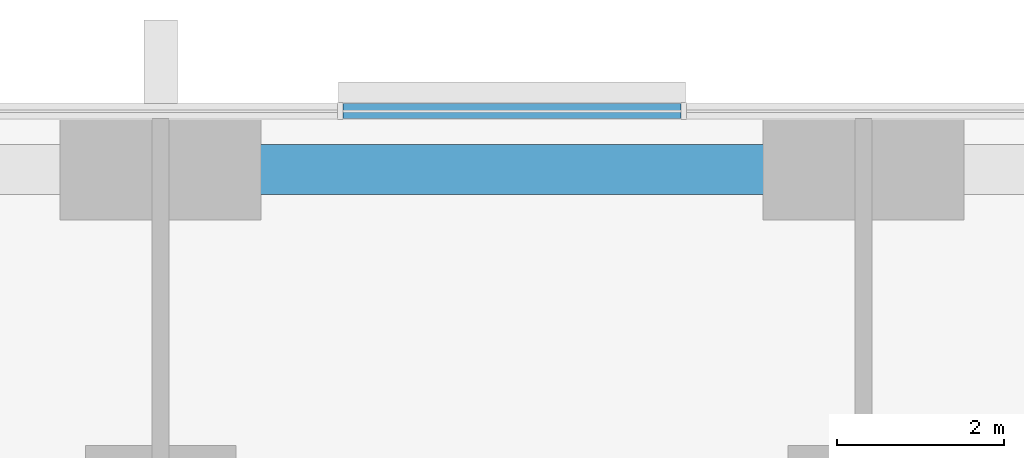
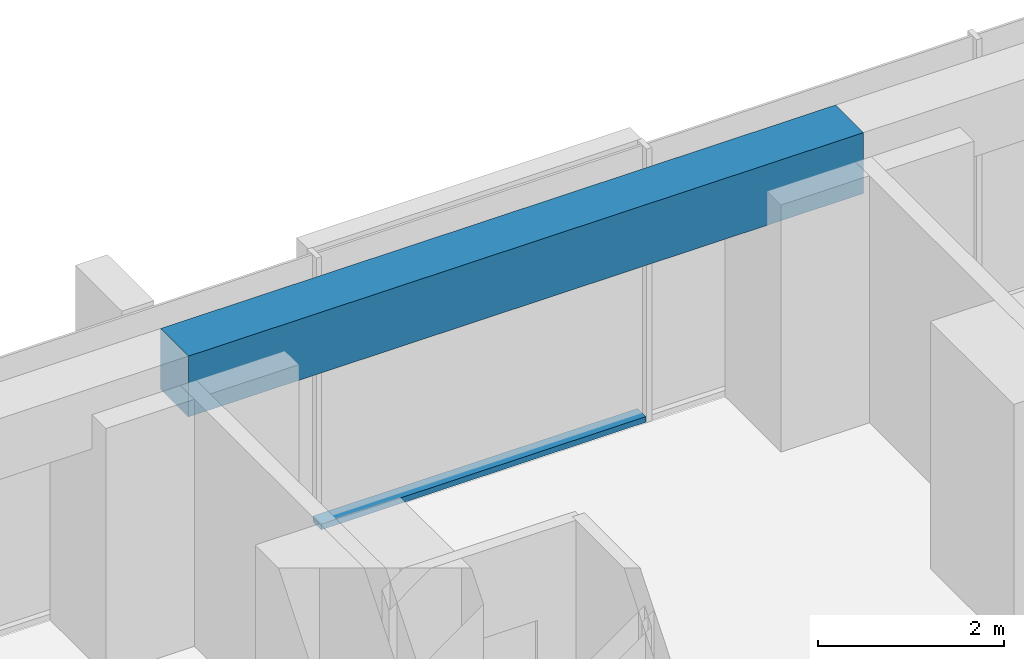
# One storey, part 7 of 17: 1 beam, 1 member, 1 element without a shape of its own.
"""IFC4 building model written with IfcOpenShell, lengths in metres."""

from ifc_helpers import new_model, si_unit, direction, frame, origin, origin_2d, place, context, subcontext, project, spatial, rectangle, extrude, material, material_profile, profile_set, type_object, element, aggregate, save


model = new_model("IFC4")

# Units and contexts
model_context = context("Model", 3, precision=1e-05, world=origin(), true_north=direction((0.0, 1.0)))
body_context = subcontext(model_context, "Body", "Model", "MODEL_VIEW")
ifc_project = project(units=[si_unit("LENGTHUNIT", "METRE"), si_unit("AREAUNIT", "SQUARE_METRE"), si_unit("VOLUMEUNIT", "CUBIC_METRE"), si_unit("PLANEANGLEUNIT", "RADIAN"), si_unit("MASSUNIT", "GRAM", prefix="KILO")], contexts=[model_context])

# Site, building, storey
site_placement = place(None, origin())
site = spatial("IfcSite", under=ifc_project, at=site_placement, CompositionType="ELEMENT")
building_placement = place(site_placement, origin())
building = spatial("IfcBuilding", under=site, at=building_placement, Name="Dunama Terrace Hotel", CompositionType="ELEMENT")
storey_placement = place(building_placement, frame((0.0, 0.0, 59.39990234375)))
storey = spatial("IfcBuildingStorey", under=building, at=storey_placement, Name="L14", CompositionType="ELEMENT", Elevation=59.39990234375)

# Curtain wall, member
ifc_material_1 = material(Name="Aluminium curtain wall system", Category="aluminium")
curtain_wall_type = type_object("IfcCurtainWallType", Name="Unitised fritted glass wall CW-A", PredefinedType="NOTDEFINED", material=ifc_material_1)
curtain_wall_placement = place(storey_placement, origin())
curtain_wall = element("IfcCurtainWall", 1, at=curtain_wall_placement, inside=storey, type_object=curtain_wall_type, Name="Unitised fritted glass wall CW-A L14", PredefinedType="NOTDEFINED")
ifc_material_2 = material(Name="Aluminium transom", Category="aluminium")
ifc_material_profile_1 = material_profile(ifc_material_2, rectangle(XDim=0.179931640625, YDim=0.074951171875, at=origin_2d()), Name="CWA TRANSOM 180X75")
ifc_profile_set_1 = profile_set([ifc_material_profile_1], Name="Aluminium transom")
member_type = type_object("IfcMemberType", Name="CWA transom 180x75", PredefinedType="USERDEFINED", material=ifc_profile_set_1)
member_placement = place(storey_placement, frame((31.4208984375, 58.89990234375, 0.03759765625), z_axis=(-1.0, 0.0, 0.0), x_axis=(0.0, -1.0, 0.0)))
member = element("IfcMember", 2, at=member_placement, type_object=member_type, Name="CWA transom", ObjectType="TRANSOM", PredefinedType="USERDEFINED", context=body_context, shape_type="SweptSolid", body=[
    extrude(rectangle(XDim=0.179931640625, YDim=0.074951171875, at=origin_2d()), origin(), (0.0, 0.0, 1.0), 4.0419921875),
])
aggregate(curtain_wall, [member])

# Beam
ifc_material_3 = material(Name="Concrete C40/50", Category="concrete")
ifc_material_profile_2 = material_profile(ifc_material_3, rectangle(XDim=0.60009765625, YDim=0.800048828125, at=origin_2d()), Name="RC 600x800")
ifc_profile_set_2 = profile_set([ifc_material_profile_2], Name="Concrete C40/50")
beam_type = type_object("IfcBeamType", Name="Edge beam RC 600x800", PredefinedType="SPANDREL", material=ifc_profile_set_2)
beam_placement = place(storey_placement, frame((25.199951171875, 58.199951171875, 3.2001953125), z_axis=(1.0, 0.0, 0.0), x_axis=(0.0, 1.0, 0.0)))
element("IfcBeam", 3, at=beam_placement, inside=storey, type_object=beam_type, Name="Edge beam under L15", PredefinedType="SPANDREL", context=body_context, shape_type="SweptSolid", body=[
    extrude(rectangle(XDim=0.60009765625, YDim=0.800048828125, at=origin_2d()), origin(), (0.0, 0.0, 1.0), 8.400146484375),
])

save(model, "model.ifc")
